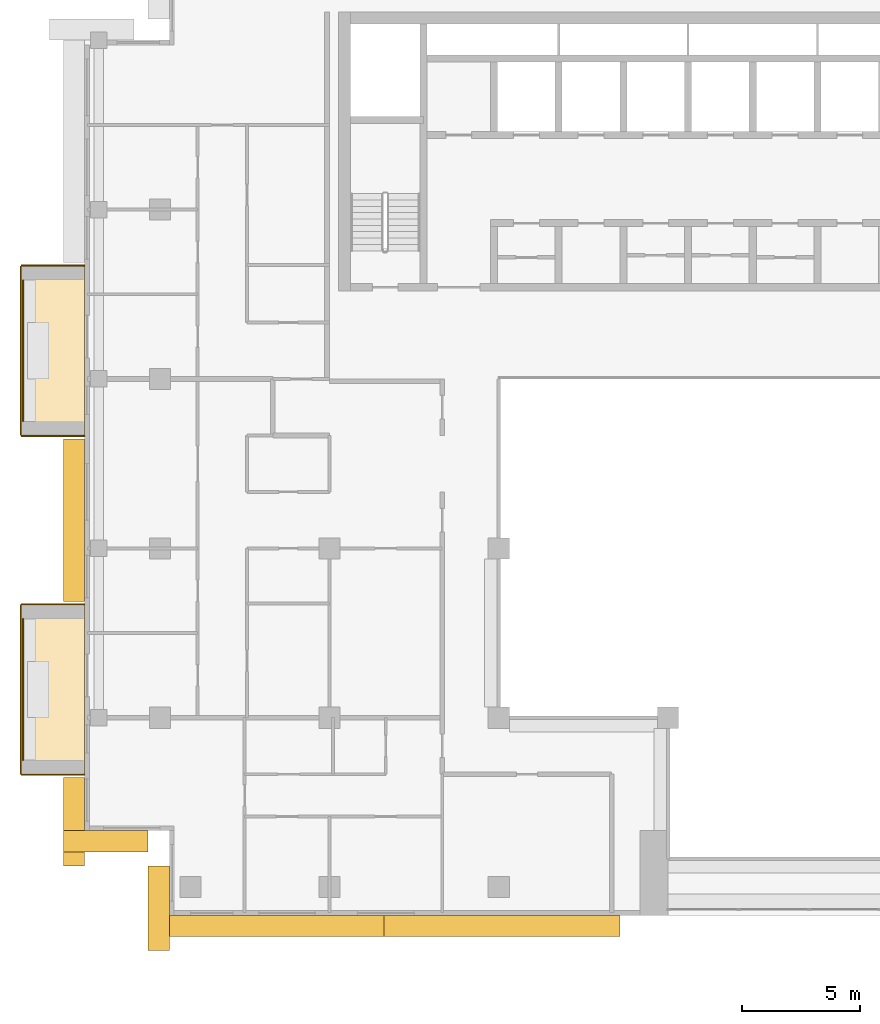
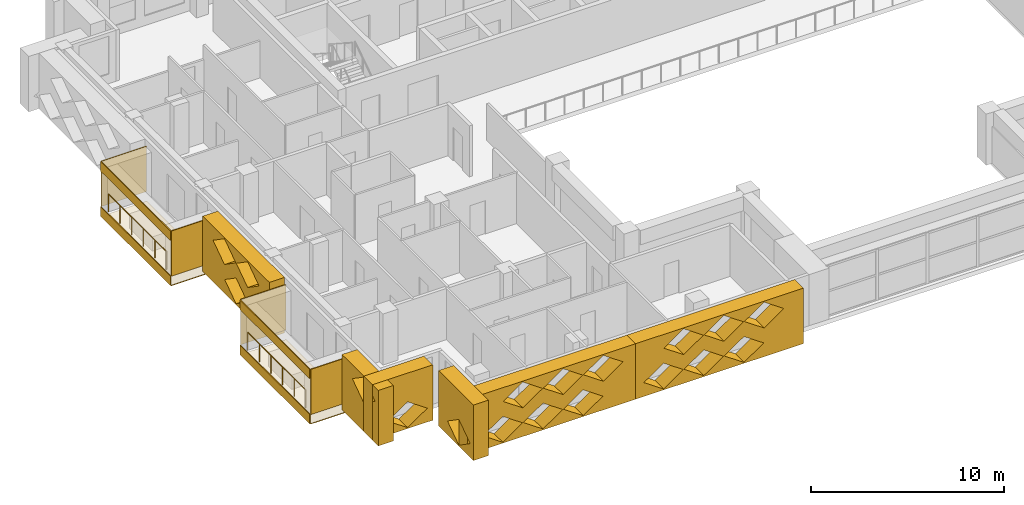
# One storey, part 13 of 19: 16 coverings, 2 railings.
"""IFC4 building model written with IfcOpenShell, lengths in metres."""

from ifc_helpers import new_model, si_unit, direction, frame, origin, origin_2d, place, context, subcontext, project, spatial, polyline, circle, outline, extrude, material, layer, layer_set, type_object, element, save


model = new_model("IFC4")

# Units and contexts
model_context = context("Model", 3, precision=1e-05, world=origin(), true_north=direction((0.0, 1.0)))
body_context = subcontext(model_context, "Body", "Model", "MODEL_VIEW")
ifc_project = project(units=[si_unit("LENGTHUNIT", "METRE"), si_unit("AREAUNIT", "SQUARE_METRE"), si_unit("VOLUMEUNIT", "CUBIC_METRE"), si_unit("PLANEANGLEUNIT", "RADIAN"), si_unit("MASSUNIT", "GRAM", prefix="KILO")], contexts=[model_context])

# Site, building, storey
site_placement = place(None, origin())
site = spatial("IfcSite", under=ifc_project, at=site_placement, CompositionType="ELEMENT")
building_placement = place(site_placement, origin())
building = spatial("IfcBuilding", under=site, at=building_placement, Name="Saffron Iwan Residences", CompositionType="ELEMENT")
storey_placement = place(building_placement, frame((0.0, 0.0, 229.0)))
storey = spatial("IfcBuildingStorey", under=building, at=storey_placement, Name="L61", CompositionType="ELEMENT", Elevation=229.0)

# Railings
ifc_material_1 = material(Name="Stainless steel 316", Category="steel")
railing_type = type_object("IfcRailingType", Name="BALCONY GUARD 1150", PredefinedType="GUARDRAIL", material=ifc_material_1)
for number, where, name in (
    (1, (15.77490234375, 66.60009765625, 0.0), "Balcony guard L61 F8-0"),
    (2, (15.77490234375, 52.199951171875, 0.0), "Balcony guard L61 F8-1"),
):
    element("IfcRailing", number, at=place(storey_placement, frame(where)), inside=storey, type_object=railing_type, Name=name, PredefinedType="GUARDRAIL", context=body_context, shape_type="SweptSolid", body=[
        extrude(circle(Radius=0.02392578125, at=origin_2d()), frame((0.0, 0.0, 1.1259765625), z_axis=(0.0, -1.0, 0.0), x_axis=(1.0, 0.0, 0.0)), (0.0, 0.0, 1.0), 6.0),
        extrude(circle(Radius=0.02099609375, at=origin_2d()), origin(), (0.0, 0.0, 1.0), 1.101806640625),
        extrude(circle(Radius=0.02099609375, at=origin_2d()), frame((0.0, -1.199951171875, 0.0)), (0.0, 0.0, 1.0), 1.101806640625),
        extrude(circle(Radius=0.02099609375, at=origin_2d()), frame((0.0, -2.39990234375, 0.0)), (0.0, 0.0, 1.0), 1.101806640625),
        extrude(circle(Radius=0.02099609375, at=origin_2d()), frame((0.0, -3.60009765625, 0.0)), (0.0, 0.0, 1.0), 1.101806640625),
        extrude(circle(Radius=0.02099609375, at=origin_2d()), frame((0.0, -4.800048828125, 0.0)), (0.0, 0.0, 1.0), 1.101806640625),
        extrude(circle(Radius=0.02099609375, at=origin_2d()), frame((0.0, -6.0, 0.0)), (0.0, 0.0, 1.0), 1.101806640625),
    ])

# Coverings
ifc_material_2 = material(Name="Precast concrete C40/50 white painted", Category="concrete")
ifc_layer = layer(ifc_material_2, 0.050048828125)
ifc_layer_set = layer_set([ifc_layer], Name="Precast concrete C40/50 white painted")
covering_type_1 = type_object("IfcCoveringType", Name="FRAME SKIN PRECAST WHITE 50", PredefinedType="CLADDING", material=ifc_layer_set)
for number, where, name in (
    (3, (0.0, 0.0, -0.60009765625), "Frame skin slab edge L61 F8-0"),
    (4, (0.0, 0.0, 2.25), "Frame skin fascia L61 F8-0"),
):
    element("IfcCovering", number, at=place(storey_placement, frame(where)), inside=storey, type_object=covering_type_1, Name=name, PredefinedType="CLADDING", context=body_context, shape_type="SweptSolid", body=[
        extrude(outline(polyline([(15.64990234375, 67.199951171875), (15.64990234375, 60.0), (15.699951171875, 60.0), (15.699951171875, 67.199951171875), (15.64990234375, 67.199951171875)])), origin(), (0.0, 0.0, 1.0), 0.60009765625),
    ])
covering_1_placement = place(storey_placement, frame((0.0, 0.0, -0.64990234375)))
element("IfcCovering", 5, at=covering_1_placement, inside=storey, type_object=covering_type_1, Name="Frame skin soffit L61 F8-0", PredefinedType="CLADDING", context=body_context, shape_type="SweptSolid", body=[
    extrude(outline(polyline([(15.699951171875, 67.199951171875), (15.699951171875, 60.0), (18.39990234375, 60.0), (18.39990234375, 67.199951171875), (15.699951171875, 67.199951171875)])), origin(), (0.0, 0.0, 1.0), 0.0498046875),
])
covering_2_placement = place(storey_placement, origin())
element("IfcCovering", 6, at=covering_2_placement, inside=storey, type_object=covering_type_1, Name="Frame skin fin L61 F8-0a", PredefinedType="CLADDING", context=body_context, shape_type="SweptSolid", body=[
    extrude(outline(polyline([(15.699951171875, 67.25), (15.699951171875, 67.199951171875), (18.39990234375, 67.199951171875), (18.39990234375, 67.25), (15.699951171875, 67.25)])), origin(), (0.0, 0.0, 1.0), 2.85009765625),
])
covering_3_placement = place(storey_placement, origin())
element("IfcCovering", 7, at=covering_3_placement, inside=storey, type_object=covering_type_1, Name="Frame skin fin L61 F8-0b", PredefinedType="CLADDING", context=body_context, shape_type="SweptSolid", body=[
    extrude(outline(polyline([(15.699951171875, 60.0), (15.699951171875, 59.949951171875), (18.39990234375, 59.949951171875), (18.39990234375, 60.0), (15.699951171875, 60.0)])), origin(), (0.0, 0.0, 1.0), 2.85009765625),
])
for number, where, name in (
    (8, (0.0, 0.0, -0.60009765625), "Frame skin slab edge L61 F8-1"),
    (9, (0.0, 0.0, 2.25), "Frame skin fascia L61 F8-1"),
):
    element("IfcCovering", number, at=place(storey_placement, frame(where)), inside=storey, type_object=covering_type_1, Name=name, PredefinedType="CLADDING", context=body_context, shape_type="SweptSolid", body=[
        extrude(outline(polyline([(15.64990234375, 52.800048828125), (15.64990234375, 45.60009765625), (15.699951171875, 45.60009765625), (15.699951171875, 52.800048828125), (15.64990234375, 52.800048828125)])), origin(), (0.0, 0.0, 1.0), 0.60009765625),
    ])
covering_4_placement = place(storey_placement, frame((0.0, 0.0, -0.64990234375)))
element("IfcCovering", 10, at=covering_4_placement, inside=storey, type_object=covering_type_1, Name="Frame skin soffit L61 F8-1", PredefinedType="CLADDING", context=body_context, shape_type="SweptSolid", body=[
    extrude(outline(polyline([(15.699951171875, 52.800048828125), (15.699951171875, 45.60009765625), (18.39990234375, 45.60009765625), (18.39990234375, 52.800048828125), (15.699951171875, 52.800048828125)])), origin(), (0.0, 0.0, 1.0), 0.0498046875),
])
covering_5_placement = place(storey_placement, origin())
element("IfcCovering", 11, at=covering_5_placement, inside=storey, type_object=covering_type_1, Name="Frame skin fin L61 F8-1a", PredefinedType="CLADDING", context=body_context, shape_type="SweptSolid", body=[
    extrude(outline(polyline([(15.699951171875, 52.85009765625), (15.699951171875, 52.800048828125), (18.39990234375, 52.800048828125), (18.39990234375, 52.85009765625), (15.699951171875, 52.85009765625)])), origin(), (0.0, 0.0, 1.0), 2.85009765625),
])
covering_6_placement = place(storey_placement, origin())
element("IfcCovering", 12, at=covering_6_placement, inside=storey, type_object=covering_type_1, Name="Frame skin fin L61 F8-1b", PredefinedType="CLADDING", context=body_context, shape_type="SweptSolid", body=[
    extrude(outline(polyline([(15.699951171875, 45.60009765625), (15.699951171875, 45.550048828125), (18.39990234375, 45.550048828125), (18.39990234375, 45.60009765625), (15.699951171875, 45.60009765625)])), origin(), (0.0, 0.0, 1.0), 2.85009765625),
])
ifc_material_3 = material(Name="Precast concrete C40/50", Category="concrete")
covering_type_2 = type_object("IfcCoveringType", Name="OUTER SKIN LATTICE SCREEN", PredefinedType="CLADDING", material=ifc_material_3)
covering_7_placement = place(storey_placement, frame((18.39990234375, 59.85009765625, -0.280029296875), z_axis=(-1.0, 0.0, 0.0), x_axis=(0.0, -1.0, 0.0)))
element("IfcCovering", 13, at=covering_7_placement, inside=storey, type_object=covering_type_2, Name="OUTER SKIN lattice screen L61 F8.1", PredefinedType="CLADDING", context=body_context, shape_type="SweptSolid", body=[
    extrude(outline(polyline([(0.0, 0.0), (6.89990234375, 0.0), (6.89990234375, 3.5), (0.0, 3.5), (0.0, 0.0)]), holes=[polyline([(2.27001953125, 0.875), (3.449951171875, 0.06005859375), (4.6298828125, 0.875), (3.449951171875, 1.68994140625), (2.27001953125, 0.875)]), polyline([(1.070068359375, 2.625), (2.25, 1.81005859375), (3.429931640625, 2.625), (2.25, 3.43994140625), (1.070068359375, 2.625)]), polyline([(3.469970703125, 2.625), (4.64990234375, 1.81005859375), (5.830078125, 2.625), (4.64990234375, 3.43994140625), (3.469970703125, 2.625)])]), origin(), (0.0, 0.0, 1.0), 0.89990234375),
])
covering_8_placement = place(storey_placement, frame((18.39990234375, 45.449951171875, -0.280029296875), z_axis=(-1.0, 0.0, 0.0), x_axis=(0.0, -1.0, 0.0)))
element("IfcCovering", 14, at=covering_8_placement, inside=storey, type_object=covering_type_2, Name="OUTER SKIN lattice screen L61 F8.2", PredefinedType="CLADDING", context=body_context, shape_type="SweptSolid", body=[
    extrude(outline(polyline([(0.0, 0.0), (3.75, 0.0), (3.75, 3.5), (0.0, 3.5), (0.0, 0.0)]), holes=[polyline([(1.070068359375, 2.625), (2.25, 1.81005859375), (3.429931640625, 2.625), (2.25, 3.43994140625), (1.070068359375, 2.625)])]), origin(), (0.0, 0.0, 1.0), 0.89990234375),
])
for number, where, z_axis, x_axis, name in (
    (15, (17.5, 43.199951171875, -0.280029296875), (0.0, -1.0, 0.0), (1.0, 0.0, 0.0), "OUTER SKIN lattice screen L61 F9.0"),
    (16, (22.0, 41.699951171875, -0.280029296875), (-1.0, 0.0, 0.0), (0.0, -1.0, 0.0), "OUTER SKIN lattice screen L61 F10.0"),
):
    element("IfcCovering", number, at=place(storey_placement, frame(where, z_axis=z_axis, x_axis=x_axis)), inside=storey, type_object=covering_type_2, Name=name, PredefinedType="CLADDING", context=body_context, shape_type="SweptSolid", body=[
        extrude(outline(polyline([(0.0, 0.0), (3.60009765625, 0.0), (3.60009765625, 3.5), (0.0, 3.5), (0.0, 0.0)]), holes=[polyline([(0.919921875, 0.875), (2.10009765625, 0.06005859375), (3.280029296875, 0.875), (2.10009765625, 1.68994140625), (0.919921875, 0.875)])]), origin(), (0.0, 0.0, 1.0), 0.89990234375),
    ])
covering_9_placement = place(storey_placement, frame((21.10009765625, 39.60009765625, -0.280029296875), z_axis=(0.0, -1.0, 0.0), x_axis=(1.0, 0.0, 0.0)))
element("IfcCovering", 17, at=covering_9_placement, inside=storey, type_object=covering_type_2, Name="OUTER SKIN lattice screen L61 F11.0", PredefinedType="CLADDING", context=body_context, shape_type="SweptSolid", body=[
    extrude(outline(polyline([(0.0, 0.0), (10.02490234375, 0.0), (10.02490234375, 3.5), (0.0, 3.5), (0.0, 0.0)]), holes=[polyline([(0.919921875, 0.875), (2.10009765625, 0.06005859375), (3.280029296875, 0.875), (2.10009765625, 1.68994140625), (0.919921875, 0.875)]), polyline([(3.320068359375, 0.875), (4.5, 0.06005859375), (5.679931640625, 0.875), (4.5, 1.68994140625), (3.320068359375, 0.875)]), polyline([(5.719970703125, 0.875), (6.89990234375, 0.06005859375), (8.080078125, 0.875), (6.89990234375, 1.68994140625), (5.719970703125, 0.875)]), polyline([(2.1201171875, 2.625), (3.300048828125, 1.81005859375), (4.47998046875, 2.625), (3.300048828125, 3.43994140625), (2.1201171875, 2.625)]), polyline([(4.52001953125, 2.625), (5.699951171875, 1.81005859375), (6.8798828125, 2.625), (5.699951171875, 3.43994140625), (4.52001953125, 2.625)]), polyline([(6.919921875, 2.625), (8.10009765625, 1.81005859375), (9.280029296875, 2.625), (8.10009765625, 3.43994140625), (6.919921875, 2.625)])]), origin(), (0.0, 0.0, 1.0), 0.900146484375),
])
covering_10_placement = place(storey_placement, frame((31.125, 39.60009765625, -0.280029296875), z_axis=(0.0, -1.0, 0.0), x_axis=(1.0, 0.0, 0.0)))
element("IfcCovering", 18, at=covering_10_placement, inside=storey, type_object=covering_type_2, Name="OUTER SKIN lattice screen L61 F11.1", PredefinedType="CLADDING", context=body_context, shape_type="SweptSolid", body=[
    extrude(outline(polyline([(0.0, 0.0), (10.02490234375, 0.0), (10.02490234375, 3.5), (0.0, 3.5), (0.0, 0.0)]), holes=[polyline([(0.4951171875, 0.875), (1.675048828125, 0.06005859375), (2.85498046875, 0.875), (1.675048828125, 1.68994140625), (0.4951171875, 0.875)]), polyline([(2.89501953125, 0.875), (4.074951171875, 0.06005859375), (5.2548828125, 0.875), (4.074951171875, 1.68994140625), (2.89501953125, 0.875)]), polyline([(5.294921875, 0.875), (6.47509765625, 0.06005859375), (7.655029296875, 0.875), (6.47509765625, 1.68994140625), (5.294921875, 0.875)]), polyline([(1.695068359375, 2.625), (2.875, 1.81005859375), (4.054931640625, 2.625), (2.875, 3.43994140625), (1.695068359375, 2.625)]), polyline([(4.094970703125, 2.625), (5.27490234375, 1.81005859375), (6.455078125, 2.625), (5.27490234375, 3.43994140625), (4.094970703125, 2.625)]), polyline([(6.4951171875, 2.625), (7.675048828125, 1.81005859375), (8.85498046875, 2.625), (7.675048828125, 3.43994140625), (6.4951171875, 2.625)])]), origin(), (0.0, 0.0, 1.0), 0.900146484375),
])

save(model, "model.ifc")
